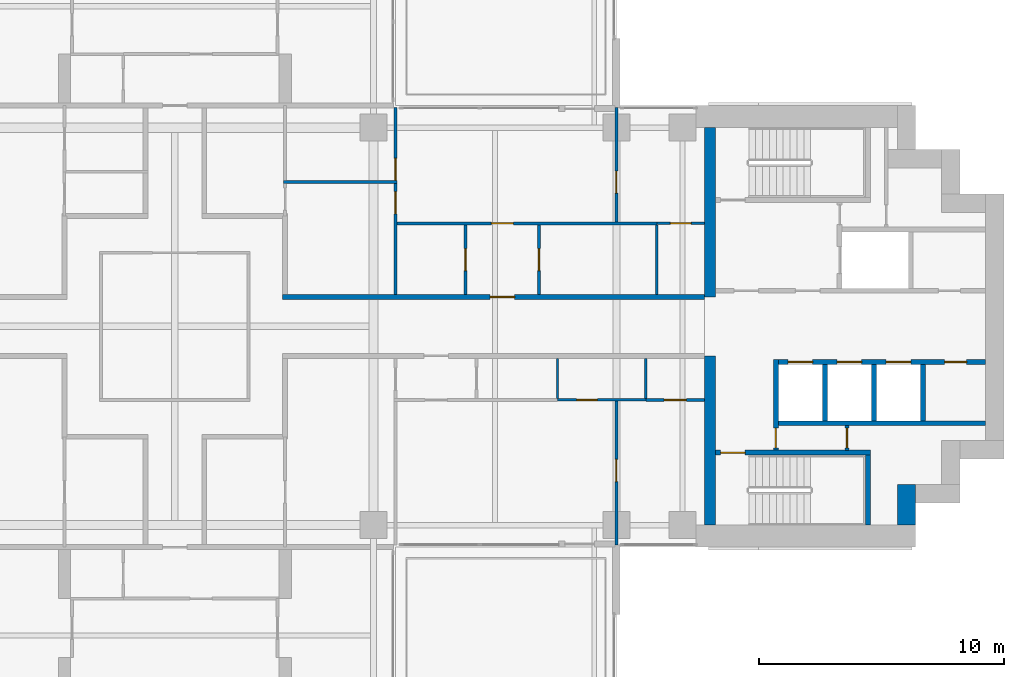
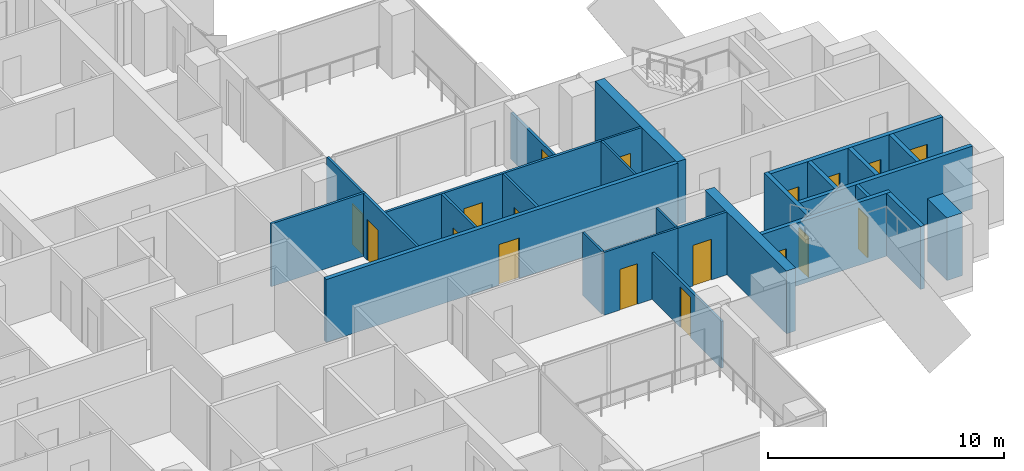
# One storey, part 12 of 19: 26 walls, 18 doors, 18 openings.
"""IFC4 building model written with IfcOpenShell, lengths in metres."""

from ifc_helpers import new_model, si_unit, direction, frame, frame_2d, origin, place, context, subcontext, project, spatial, rectangle, extrude, material, layer, layer_set, type_object, element, fill, save


model = new_model("IFC4")

# Units and contexts
model_context = context("Model", 3, precision=1e-05, world=origin(), true_north=direction((0.0, 1.0)))
body_context = subcontext(model_context, "Body", "Model", "MODEL_VIEW")
ifc_project = project(units=[si_unit("LENGTHUNIT", "METRE"), si_unit("AREAUNIT", "SQUARE_METRE"), si_unit("VOLUMEUNIT", "CUBIC_METRE"), si_unit("PLANEANGLEUNIT", "RADIAN"), si_unit("MASSUNIT", "GRAM", prefix="KILO")], contexts=[model_context])

# Site, building, storey
site_placement = place(None, origin())
site = spatial("IfcSite", under=ifc_project, at=site_placement, CompositionType="ELEMENT")
building_placement = place(site_placement, origin())
building = spatial("IfcBuilding", under=site, at=building_placement, Name="Perihelion Cross Residences", CompositionType="ELEMENT")
storey_placement = place(building_placement, frame((0.0, 0.0, 126.89990234375)))
storey = spatial("IfcBuildingStorey", under=building, at=storey_placement, Name="L30", CompositionType="ELEMENT", Elevation=126.89990234375)

# Wall, opening, door
ifc_material_1 = material(Name="Plasterboard partition")
ifc_layer_1 = layer(ifc_material_1, 0.199951171875)
ifc_layer_set_1 = layer_set([ifc_layer_1], Name="Apartment separation wall 200")
wall_type_1 = type_object("IfcWallType", Name="Apartment separation wall 200", PredefinedType="PARTITIONING", material=ifc_layer_set_1)
wall_1_placement = place(storey_placement, frame((4.39990234375, 1.199951171875, 0.0), z_axis=(0.0, 0.0, 1.0), x_axis=(1.0, 0.0, 0.0)))
wall_1 = element("IfcWall", 1, at=wall_1_placement, inside=storey, type_object=wall_type_1, Name="Partition L30 W005", PredefinedType="PARTITIONING", context=body_context, shape_type="SweptSolid", body=[
    extrude(rectangle(XDim=17.2001953125, YDim=0.199951171875, at=frame_2d((8.60009765625, 0.0))), origin(), (0.0, 0.0, 1.0), 3.25),
])
opening_1_placement = place(wall_1_placement, frame((8.449951171875, 0.0, 0.0)))
opening_1 = element("IfcOpeningElement", 2, at=opening_1_placement, cuts=wall_1, Name="Opening L30.A45", PredefinedType="OPENING", context=body_context, shape_type="SweptSolid", body=[
    extrude(rectangle(XDim=1.0, YDim=2.10009765625, at=frame_2d((0.5, 1.050048828125))), frame((0.0, 0.10986328125, 0.0), z_axis=(0.0, -1.0, 0.0), x_axis=(1.0, 0.0, 0.0)), (0.0, 0.0, 1.0), 0.219970703125),
])
ifc_material_2 = material(Name="Timber door leaf", Category="wood")
door_type_1 = type_object("IfcDoorType", Name="Flat entrance door 1000 x 2100", OperationType="SINGLE_SWING_LEFT", PredefinedType="DOOR", material=ifc_material_2)
door_1_placement = place(opening_1_placement, origin())
door_1 = element("IfcDoor", 3, at=door_1_placement, inside=storey, type_object=door_type_1, Name="Door L30.A45", OperationType="SINGLE_SWING_RIGHT", OverallHeight=2.10009765625, OverallWidth=1.0, PredefinedType="DOOR", context=body_context, shape_type="SweptSolid", body=[
    extrude(rectangle(XDim=1.0, YDim=2.10009765625, at=frame_2d((0.5, 1.050048828125))), frame((0.0, 0.02490234375, 0.0), z_axis=(0.0, -1.0, 0.0), x_axis=(1.0, 0.0, 0.0)), (0.0, 0.0, 1.0), 0.050048828125),
])
fill(opening_1, door_1)

# Walls
ifc_material_3 = material(Name="Concrete C60/75", Category="concrete")
ifc_layer_2 = layer(ifc_material_3, 0.449951171875)
ifc_layer_set_2 = layer_set([ifc_layer_2], Name="Core wall, inner 450")
wall_type_2 = type_object("IfcWallType", Name="Core wall, inner 450", PredefinedType="SHEAR", material=ifc_layer_set_2)
for number, where, z_axis, x_axis, name in (
    (4, (21.824951171875, -8.10009765625, 0.0), (0.0, 0.0, 1.0), (0.0, 1.0, 0.0), "East core core wall, inner"),
    (5, (21.824951171875, 1.199951171875, 0.0), (0.0, 0.0, 1.0), (0.0, 1.0, 0.0), "East core core wall, inner"),
):
    element("IfcWall", number, at=place(storey_placement, frame(where, z_axis=z_axis, x_axis=x_axis)), inside=storey, type_object=wall_type_2, Name=name, PredefinedType="SHEAR", context=body_context, shape_type="SweptSolid", body=[
        extrude(rectangle(XDim=6.900146484375, YDim=0.449951171875, at=frame_2d((3.4501953125, 0.0))), origin(), (0.0, 0.0, 1.0), 3.25),
    ])
ifc_material_4 = material(Name="Concrete C60/75", Category="concrete")
ifc_layer_3 = layer(ifc_material_4, 0.75)
ifc_layer_set_3 = layer_set([ifc_layer_3], Name="Core wall, outer 750")
wall_type_3 = type_object("IfcWallType", Name="Core wall, outer 750", PredefinedType="SHEAR", material=ifc_layer_set_3)
wall_2_placement = place(storey_placement, frame((29.824951171875, -8.10009765625, 0.0), z_axis=(0.0, 0.0, 1.0), x_axis=(0.0, 1.0, 0.0)))
element("IfcWall", 6, at=wall_2_placement, inside=storey, type_object=wall_type_3, Name="East core core wall, outer", PredefinedType="SHEAR", context=body_context, shape_type="SweptSolid", body=[
    extrude(rectangle(XDim=1.650146484375, YDim=0.75, at=frame_2d((0.8251953125, 0.0))), origin(), (0.0, 0.0, 1.0), 3.25),
])

# Wall, opening, door
ifc_material_5 = material(Name="Concrete C50/60", Category="concrete")
ifc_layer_4 = layer(ifc_material_5, 0.199951171875)
ifc_layer_set_4 = layer_set([ifc_layer_4], Name="Lobby wall 200")
wall_type_4 = type_object("IfcWallType", Name="Lobby wall 200", PredefinedType="SOLIDWALL", material=ifc_layer_set_4)
wall_3_placement = place(storey_placement, frame((24.5, -5.050048828125, 0.0), z_axis=(0.0, 0.0, 1.0), x_axis=(0.0, 1.0, 0.0)))
wall_3 = element("IfcWall", 7, at=wall_3_placement, inside=storey, type_object=wall_type_4, Name="East core lobby wall", PredefinedType="SOLIDWALL", context=body_context, shape_type="SweptSolid", body=[
    extrude(rectangle(XDim=3.699951171875, YDim=0.199951171875, at=frame_2d((1.85009765625, 0.0))), origin(), (0.0, 0.0, 1.0), 3.25),
])
opening_2_placement = place(wall_3_placement, frame((0.10009765625, 0.0, 0.0)))
opening_2 = element("IfcOpeningElement", 8, at=opening_2_placement, cuts=wall_3, Name="Opening L30.C08", PredefinedType="OPENING", context=body_context, shape_type="SweptSolid", body=[
    extrude(rectangle(XDim=0.800048828125, YDim=2.10009765625, at=frame_2d((0.39990234375, 1.050048828125))), frame((0.0, 0.10986328125, 0.0), z_axis=(0.0, -1.0, 0.0), x_axis=(1.0, 0.0, 0.0)), (0.0, 0.0, 1.0), 0.219970703125),
])
ifc_material_6 = material(Name="Steel, powder coated", Category="steel")
door_type_2 = type_object("IfcDoorType", Name="Riser door 800", OperationType="SINGLE_SWING_LEFT", PredefinedType="DOOR", material=ifc_material_6)
door_2_placement = place(opening_2_placement, origin())
door_2 = element("IfcDoor", 9, at=door_2_placement, inside=storey, type_object=door_type_2, Name="East core riser door", OperationType="SINGLE_SWING_LEFT", OverallHeight=2.10009765625, OverallWidth=0.800048828125, PredefinedType="DOOR", context=body_context, shape_type="SweptSolid", body=[
    extrude(rectangle(XDim=0.800048828125, YDim=2.10009765625, at=frame_2d((0.39990234375, 1.050048828125))), frame((0.0, 0.02490234375, 0.0), z_axis=(0.0, -1.0, 0.0), x_axis=(1.0, 0.0, 0.0)), (0.0, 0.0, 1.0), 0.050048828125),
])
fill(opening_2, door_2)

ifc_material_7 = material(Name="Plasterboard partition")
ifc_layer_5 = layer(ifc_material_7, 0.1201171875)
ifc_layer_set_5 = layer_set([ifc_layer_5], Name="Partition wall 120")
wall_type_5 = type_object("IfcWallType", Name="Partition wall 120", PredefinedType="PARTITIONING", material=ifc_layer_set_5)
wall_4_placement = place(storey_placement, frame((11.85009765625, 4.139892578125, 0.0), z_axis=(0.0, 0.0, 1.0), x_axis=(0.0, -1.0, 0.0)))
wall_4 = element("IfcWall", 10, at=wall_4_placement, inside=storey, type_object=wall_type_5, Name="Partition L30 W023", PredefinedType="PARTITIONING", context=body_context, shape_type="SweptSolid", body=[
    extrude(rectangle(XDim=2.83984375, YDim=0.1201171875, at=frame_2d((1.419921875, 0.0))), origin(), (0.0, 0.0, 1.0), 3.25),
])
opening_3_placement = place(wall_4_placement, frame((0.969970703125, 0.0, 0.0)))
opening_3 = element("IfcOpeningElement", 11, at=opening_3_placement, cuts=wall_4, Name="Opening L30.A06", PredefinedType="OPENING", context=body_context, shape_type="SweptSolid", body=[
    extrude(rectangle(XDim=0.89990234375, YDim=2.10009765625, at=frame_2d((0.449951171875, 1.050048828125))), frame((0.0, 0.070068359375, 0.0), z_axis=(0.0, -1.0, 0.0), x_axis=(1.0, 0.0, 0.0)), (0.0, 0.0, 1.0), 0.14013671875),
])
ifc_material_8 = material(Name="Timber door leaf", Category="wood")
door_type_3 = type_object("IfcDoorType", Name="Interior room door 900 x 2100", OperationType="SINGLE_SWING_LEFT", PredefinedType="DOOR", material=ifc_material_8)
door_3_placement = place(opening_3_placement, origin())
door_3 = element("IfcDoor", 12, at=door_3_placement, inside=storey, type_object=door_type_3, Name="Door L30.A06", OperationType="SINGLE_SWING_LEFT", OverallHeight=2.10009765625, OverallWidth=0.89990234375, PredefinedType="DOOR", context=body_context, shape_type="SweptSolid", body=[
    extrude(rectangle(XDim=0.89990234375, YDim=2.10009765625, at=frame_2d((0.449951171875, 1.050048828125))), frame((0.0, 0.02490234375, 0.0), z_axis=(0.0, -1.0, 0.0), x_axis=(1.0, 0.0, 0.0)), (0.0, 0.0, 1.0), 0.050048828125),
])
fill(opening_3, door_3)

wall_5_placement = place(storey_placement, frame((8.93994140625, 4.199951171875, 0.0), z_axis=(0.0, 0.0, 1.0), x_axis=(1.0, 0.0, 0.0)))
wall_5 = element("IfcWall", 13, at=wall_5_placement, inside=storey, type_object=wall_type_5, Name="Partition L30 W024", PredefinedType="PARTITIONING", context=body_context, shape_type="SweptSolid", body=[
    extrude(rectangle(XDim=10.7099609375, YDim=0.1201171875, at=frame_2d((5.35498046875, 0.0))), origin(), (0.0, 0.0, 1.0), 3.25),
])
opening_4_placement = place(wall_5_placement, frame((3.9599609375, 0.0, 0.0)))
opening_4 = element("IfcOpeningElement", 14, at=opening_4_placement, cuts=wall_5, Name="Opening L30.A07", PredefinedType="OPENING", context=body_context, shape_type="SweptSolid", body=[
    extrude(rectangle(XDim=0.89990234375, YDim=2.10009765625, at=frame_2d((0.449951171875, 1.050048828125))), frame((0.0, 0.070068359375, 0.0), z_axis=(0.0, -1.0, 0.0), x_axis=(1.0, 0.0, 0.0)), (0.0, 0.0, 1.0), 0.14013671875),
])
door_4_placement = place(opening_4_placement, origin())
door_4 = element("IfcDoor", 15, at=door_4_placement, inside=storey, type_object=door_type_3, Name="Door L30.A07", OperationType="SINGLE_SWING_LEFT", OverallHeight=2.10009765625, OverallWidth=0.89990234375, PredefinedType="DOOR", context=body_context, shape_type="SweptSolid", body=[
    extrude(rectangle(XDim=0.89990234375, YDim=2.10009765625, at=frame_2d((0.449951171875, 1.050048828125))), frame((0.0, 0.02490234375, 0.0), z_axis=(0.0, -1.0, 0.0), x_axis=(1.0, 0.0, 0.0)), (0.0, 0.0, 1.0), 0.050048828125),
])
fill(opening_4, door_4)

# Wall, openings, doors
wall_6_placement = place(storey_placement, frame((9.0, 1.300048828125, 0.0), z_axis=(0.0, 0.0, 1.0), x_axis=(0.0, 1.0, 0.0)))
wall_6 = element("IfcWall", 16, at=wall_6_placement, inside=storey, type_object=wall_type_5, Name="Partition L30 W025", PredefinedType="PARTITIONING", context=body_context, shape_type="SweptSolid", body=[
    extrude(rectangle(XDim=7.619873046875, YDim=0.1201171875, at=frame_2d((3.81005859375, 0.0))), origin(), (0.0, 0.0, 1.0), 3.25),
])
opening_5_placement = place(wall_6_placement, frame((3.2900390625, 0.0, 0.0)))
opening_5 = element("IfcOpeningElement", 17, at=opening_5_placement, cuts=wall_6, Name="Opening L30.A04", PredefinedType="OPENING", context=body_context, shape_type="SweptSolid", body=[
    extrude(rectangle(XDim=0.89990234375, YDim=2.10009765625, at=frame_2d((0.449951171875, 1.050048828125))), frame((0.0, 0.070068359375, 0.0), z_axis=(0.0, -1.0, 0.0), x_axis=(1.0, 0.0, 0.0)), (0.0, 0.0, 1.0), 0.14013671875),
])
opening_6_placement = place(wall_6_placement, frame((4.64990234375, 0.0, 0.0)))
opening_6 = element("IfcOpeningElement", 18, at=opening_6_placement, cuts=wall_6, Name="Opening L30.A08", PredefinedType="OPENING", context=body_context, shape_type="SweptSolid", body=[
    extrude(rectangle(XDim=0.89990234375, YDim=2.10009765625, at=frame_2d((0.449951171875, 1.050048828125))), frame((0.0, 0.070068359375, 0.0), z_axis=(0.0, -1.0, 0.0), x_axis=(1.0, 0.0, 0.0)), (0.0, 0.0, 1.0), 0.14013671875),
])
door_5_placement = place(opening_5_placement, origin())
door_5 = element("IfcDoor", 19, at=door_5_placement, inside=storey, type_object=door_type_3, Name="Door L30.A04", OperationType="SINGLE_SWING_RIGHT", OverallHeight=2.10009765625, OverallWidth=0.89990234375, PredefinedType="DOOR", context=body_context, shape_type="SweptSolid", body=[
    extrude(rectangle(XDim=0.89990234375, YDim=2.10009765625, at=frame_2d((0.449951171875, 1.050048828125))), frame((0.0, 0.02490234375, 0.0), z_axis=(0.0, -1.0, 0.0), x_axis=(1.0, 0.0, 0.0)), (0.0, 0.0, 1.0), 0.050048828125),
])
fill(opening_5, door_5)
door_6_placement = place(opening_6_placement, origin())
door_6 = element("IfcDoor", 20, at=door_6_placement, inside=storey, type_object=door_type_3, Name="Door L30.A08", OperationType="SINGLE_SWING_RIGHT", OverallHeight=2.10009765625, OverallWidth=0.89990234375, PredefinedType="DOOR", context=body_context, shape_type="SweptSolid", body=[
    extrude(rectangle(XDim=0.89990234375, YDim=2.10009765625, at=frame_2d((0.449951171875, 1.050048828125))), frame((0.0, 0.02490234375, 0.0), z_axis=(0.0, -1.0, 0.0), x_axis=(1.0, 0.0, 0.0)), (0.0, 0.0, 1.0), 0.050048828125),
])
fill(opening_6, door_6)

# Wall, opening, door
wall_7_placement = place(storey_placement, frame((14.85009765625, 4.139892578125, 0.0), z_axis=(0.0, 0.0, 1.0), x_axis=(0.0, -1.0, 0.0)))
wall_7 = element("IfcWall", 21, at=wall_7_placement, inside=storey, type_object=wall_type_5, Name="Partition L30 W026", PredefinedType="PARTITIONING", context=body_context, shape_type="SweptSolid", body=[
    extrude(rectangle(XDim=2.83984375, YDim=0.1201171875, at=frame_2d((1.419921875, 0.0))), origin(), (0.0, 0.0, 1.0), 3.25),
])
opening_7_placement = place(wall_7_placement, frame((0.969970703125, 0.0, 0.0)))
opening_7 = element("IfcOpeningElement", 22, at=opening_7_placement, cuts=wall_7, Name="Opening L30.A05", PredefinedType="OPENING", context=body_context, shape_type="SweptSolid", body=[
    extrude(rectangle(XDim=0.89990234375, YDim=2.10009765625, at=frame_2d((0.449951171875, 1.050048828125))), frame((0.0, 0.070068359375, 0.0), z_axis=(0.0, -1.0, 0.0), x_axis=(1.0, 0.0, 0.0)), (0.0, 0.0, 1.0), 0.14013671875),
])
door_7_placement = place(opening_7_placement, origin())
door_7 = element("IfcDoor", 23, at=door_7_placement, inside=storey, type_object=door_type_3, Name="Door L30.A05", OperationType="SINGLE_SWING_RIGHT", OverallHeight=2.10009765625, OverallWidth=0.89990234375, PredefinedType="DOOR", context=body_context, shape_type="SweptSolid", body=[
    extrude(rectangle(XDim=0.89990234375, YDim=2.10009765625, at=frame_2d((0.449951171875, 1.050048828125))), frame((0.0, 0.02490234375, 0.0), z_axis=(0.0, -1.0, 0.0), x_axis=(1.0, 0.0, 0.0)), (0.0, 0.0, 1.0), 0.050048828125),
])
fill(opening_7, door_7)

wall_8_placement = place(storey_placement, frame((18.0, 8.919921875, 0.0), z_axis=(0.0, 0.0, 1.0), x_axis=(0.0, -1.0, 0.0)))
wall_8 = element("IfcWall", 24, at=wall_8_placement, inside=storey, type_object=wall_type_5, Name="Partition L30 W029", PredefinedType="PARTITIONING", context=body_context, shape_type="SweptSolid", body=[
    extrude(rectangle(XDim=4.659912109375, YDim=0.1201171875, at=frame_2d((2.330078125, 0.0))), origin(), (0.0, 0.0, 1.0), 2.4140625),
])
opening_8_placement = place(wall_8_placement, frame((2.590087890625, 0.0, 0.0)))
opening_8 = element("IfcOpeningElement", 25, at=opening_8_placement, cuts=wall_8, Name="Opening L30.A02", PredefinedType="OPENING", context=body_context, shape_type="SweptSolid", body=[
    extrude(rectangle(XDim=0.89990234375, YDim=2.10009765625, at=frame_2d((0.449951171875, 1.050048828125))), frame((0.0, 0.070068359375, 0.0), z_axis=(0.0, -1.0, 0.0), x_axis=(1.0, 0.0, 0.0)), (0.0, 0.0, 1.0), 0.14013671875),
])
door_8_placement = place(opening_8_placement, origin())
door_8 = element("IfcDoor", 26, at=door_8_placement, inside=storey, type_object=door_type_3, Name="Door L30.A02", OperationType="SINGLE_SWING_LEFT", OverallHeight=2.10009765625, OverallWidth=0.89990234375, PredefinedType="DOOR", context=body_context, shape_type="SweptSolid", body=[
    extrude(rectangle(XDim=0.89990234375, YDim=2.10009765625, at=frame_2d((0.449951171875, 1.050048828125))), frame((0.0, 0.02490234375, 0.0), z_axis=(0.0, -1.0, 0.0), x_axis=(1.0, 0.0, 0.0)), (0.0, 0.0, 1.0), 0.050048828125),
])
fill(opening_8, door_8)

# Wall
wall_9_placement = place(storey_placement, frame((4.43994140625, 5.8798828125, 0.0), z_axis=(0.0, 0.0, 1.0), x_axis=(1.0, 0.0, 0.0)))
element("IfcWall", 27, at=wall_9_placement, inside=storey, type_object=wall_type_5, Name="Partition L30 W030", PredefinedType="PARTITIONING", context=body_context, shape_type="SweptSolid", body=[
    extrude(rectangle(XDim=4.6201171875, YDim=0.1201171875, at=frame_2d((2.31005859375, 0.0))), origin(), (0.0, 0.0, 1.0), 3.25),
])

# Wall, opening, door
wall_10_placement = place(storey_placement, frame((21.60009765625, -3.0, 0.0), z_axis=(0.0, 0.0, 1.0), x_axis=(-1.0, 0.0, 0.0)))
wall_10 = element("IfcWall", 28, at=wall_10_placement, inside=storey, type_object=wall_type_5, Name="Partition L30 W038", PredefinedType="PARTITIONING", context=body_context, shape_type="SweptSolid", body=[
    extrude(rectangle(XDim=2.400146484375, YDim=0.1201171875, at=frame_2d((1.2001953125, 0.0))), origin(), (0.0, 0.0, 1.0), 3.25),
])
opening_9_placement = place(wall_10_placement, frame((0.75, 0.0, 0.0)))
opening_9 = element("IfcOpeningElement", 29, at=opening_9_placement, cuts=wall_10, Name="Opening L30.A14", PredefinedType="OPENING", context=body_context, shape_type="SweptSolid", body=[
    extrude(rectangle(XDim=0.89990234375, YDim=2.10009765625, at=frame_2d((0.449951171875, 1.050048828125))), frame((0.0, 0.070068359375, 0.0), z_axis=(0.0, -1.0, 0.0), x_axis=(1.0, 0.0, 0.0)), (0.0, 0.0, 1.0), 0.14013671875),
])
door_9_placement = place(opening_9_placement, origin())
door_9 = element("IfcDoor", 30, at=door_9_placement, inside=storey, type_object=door_type_3, Name="Door L30.A14", OperationType="SINGLE_SWING_LEFT", OverallHeight=2.10009765625, OverallWidth=0.89990234375, PredefinedType="DOOR", context=body_context, shape_type="SweptSolid", body=[
    extrude(rectangle(XDim=0.89990234375, YDim=2.10009765625, at=frame_2d((0.449951171875, 1.050048828125))), frame((0.0, 0.02490234375, 0.0), z_axis=(0.0, -1.0, 0.0), x_axis=(1.0, 0.0, 0.0)), (0.0, 0.0, 1.0), 0.050048828125),
])
fill(opening_9, door_9)

wall_11_placement = place(storey_placement, frame((18.0, -3.050048828125, 0.0), z_axis=(0.0, 0.0, 1.0), x_axis=(0.0, -1.0, 0.0)))
wall_11 = element("IfcWall", 31, at=wall_11_placement, inside=storey, type_object=wall_type_5, Name="Partition L30 W039", PredefinedType="PARTITIONING", context=body_context, shape_type="SweptSolid", body=[
    extrude(rectangle(XDim=5.869873046875, YDim=0.1201171875, at=frame_2d((2.93505859375, 0.0))), origin(), (0.0, 0.0, 1.0), 2.4140625),
])
opening_10_placement = place(wall_11_placement, frame((2.375, 0.0, 0.0)))
opening_10 = element("IfcOpeningElement", 32, at=opening_10_placement, cuts=wall_11, Name="Opening L30.A10", PredefinedType="OPENING", context=body_context, shape_type="SweptSolid", body=[
    extrude(rectangle(XDim=0.89990234375, YDim=2.10009765625, at=frame_2d((0.449951171875, 1.050048828125))), frame((0.0, 0.070068359375, 0.0), z_axis=(0.0, -1.0, 0.0), x_axis=(1.0, 0.0, 0.0)), (0.0, 0.0, 1.0), 0.14013671875),
])
door_10_placement = place(opening_10_placement, origin())
door_10 = element("IfcDoor", 33, at=door_10_placement, inside=storey, type_object=door_type_3, Name="Door L30.A10", OperationType="SINGLE_SWING_LEFT", OverallHeight=2.10009765625, OverallWidth=0.89990234375, PredefinedType="DOOR", context=body_context, shape_type="SweptSolid", body=[
    extrude(rectangle(XDim=0.89990234375, YDim=2.10009765625, at=frame_2d((0.449951171875, 1.050048828125))), frame((0.0, 0.02490234375, 0.0), z_axis=(0.0, -1.0, 0.0), x_axis=(1.0, 0.0, 0.0)), (0.0, 0.0, 1.0), 0.050048828125),
])
fill(opening_10, door_10)

ifc_material_9 = material(Name="Fire-rated board on steel stud", Category="steel")
ifc_layer_6 = layer(ifc_material_9, 0.14990234375)
ifc_layer_set_6 = layer_set([ifc_layer_6], Name="Riser wall 150")
wall_type_6 = type_object("IfcWallType", Name="Riser wall 150", PredefinedType="PARTITIONING", material=ifc_layer_set_6)
wall_12_placement = place(storey_placement, frame((27.39990234375, -5.050048828125, 0.0), z_axis=(0.0, 0.0, 1.0), x_axis=(0.0, 1.0, 0.0)))
wall_12 = element("IfcWall", 34, at=wall_12_placement, inside=storey, type_object=wall_type_6, Name="East core riser wall", PredefinedType="PARTITIONING", context=body_context, shape_type="SweptSolid", body=[
    extrude(rectangle(XDim=1.0, YDim=0.14990234375, at=frame_2d((0.5, 0.0))), origin(), (0.0, 0.0, 1.0), 3.25),
])
opening_11_placement = place(wall_12_placement, frame((0.10009765625, 0.0, 0.0)))
opening_11 = element("IfcOpeningElement", 35, at=opening_11_placement, cuts=wall_12, Name="Opening L30.C11", PredefinedType="OPENING", context=body_context, shape_type="SweptSolid", body=[
    extrude(rectangle(XDim=0.800048828125, YDim=2.10009765625, at=frame_2d((0.39990234375, 1.050048828125))), frame((0.0, 0.0849609375, 0.0), z_axis=(0.0, -1.0, 0.0), x_axis=(1.0, 0.0, 0.0)), (0.0, 0.0, 1.0), 0.169921875),
])
door_11_placement = place(opening_11_placement, origin())
door_11 = element("IfcDoor", 36, at=door_11_placement, inside=storey, type_object=door_type_2, Name="East core riser door", OperationType="SINGLE_SWING_LEFT", OverallHeight=2.10009765625, OverallWidth=0.800048828125, PredefinedType="DOOR", context=body_context, shape_type="SweptSolid", body=[
    extrude(rectangle(XDim=0.800048828125, YDim=2.10009765625, at=frame_2d((0.39990234375, 1.050048828125))), frame((0.0, 0.02490234375, 0.0), z_axis=(0.0, -1.0, 0.0), x_axis=(1.0, 0.0, 0.0)), (0.0, 0.0, 1.0), 0.050048828125),
])
fill(opening_11, door_11)

# Wall, openings, doors
ifc_material_10 = material(Name="Concrete C50/60", Category="concrete")
ifc_layer_7 = layer(ifc_material_10, 0.199951171875)
ifc_layer_set_7 = layer_set([ifc_layer_7], Name="Shaft wall 200")
wall_type_7 = type_object("IfcWallType", Name="Shaft wall 200", PredefinedType="SOLIDWALL", material=ifc_layer_set_7)
wall_13_placement = place(storey_placement, frame((24.60009765625, -1.449951171875, 0.0), z_axis=(0.0, 0.0, 1.0), x_axis=(1.0, 0.0, 0.0)))
wall_13 = element("IfcWall", 37, at=wall_13_placement, inside=storey, type_object=wall_type_7, Name="East core shaft wall", PredefinedType="SOLIDWALL", context=body_context, shape_type="SweptSolid", body=[
    extrude(rectangle(XDim=8.449951171875, YDim=0.199951171875, at=frame_2d((4.22509765625, 0.0))), origin(), (0.0, 0.0, 1.0), 3.25),
])
opening_12_placement = place(wall_13_placement, frame((0.39990234375, 0.0, 0.0)))
opening_12 = element("IfcOpeningElement", 38, at=opening_12_placement, cuts=wall_13, Name="Opening L30.C01", PredefinedType="OPENING", context=body_context, shape_type="SweptSolid", body=[
    extrude(rectangle(XDim=1.0, YDim=2.10009765625, at=frame_2d((0.5, 1.050048828125))), frame((0.0, 0.10986328125, 0.0), z_axis=(0.0, -1.0, 0.0), x_axis=(1.0, 0.0, 0.0)), (0.0, 0.0, 1.0), 0.219970703125),
])
opening_13_placement = place(wall_13_placement, frame((2.39990234375, 0.0, 0.0)))
opening_13 = element("IfcOpeningElement", 39, at=opening_13_placement, cuts=wall_13, Name="Opening L30.C03", PredefinedType="OPENING", context=body_context, shape_type="SweptSolid", body=[
    extrude(rectangle(XDim=1.0, YDim=2.10009765625, at=frame_2d((0.5, 1.050048828125))), frame((0.0, 0.10986328125, 0.0), z_axis=(0.0, -1.0, 0.0), x_axis=(1.0, 0.0, 0.0)), (0.0, 0.0, 1.0), 0.219970703125),
])
opening_14_placement = place(wall_13_placement, frame((4.39990234375, 0.0, 0.0)))
opening_14 = element("IfcOpeningElement", 40, at=opening_14_placement, cuts=wall_13, Name="Opening L30.C04", PredefinedType="OPENING", context=body_context, shape_type="SweptSolid", body=[
    extrude(rectangle(XDim=1.0, YDim=2.10009765625, at=frame_2d((0.5, 1.050048828125))), frame((0.0, 0.10986328125, 0.0), z_axis=(0.0, -1.0, 0.0), x_axis=(1.0, 0.0, 0.0)), (0.0, 0.0, 1.0), 0.219970703125),
])
opening_15_placement = place(wall_13_placement, frame((6.77490234375, 0.0, 0.0)))
opening_15 = element("IfcOpeningElement", 41, at=opening_15_placement, cuts=wall_13, Name="Opening L30.C14", PredefinedType="OPENING", context=body_context, shape_type="SweptSolid", body=[
    extrude(rectangle(XDim=0.89990234375, YDim=2.10009765625, at=frame_2d((0.449951171875, 1.050048828125))), frame((0.0, 0.10986328125, 0.0), z_axis=(0.0, -1.0, 0.0), x_axis=(1.0, 0.0, 0.0)), (0.0, 0.0, 1.0), 0.219970703125),
])
ifc_material_11 = material(Name="Stainless steel", Category="steel")
door_type_4 = type_object("IfcDoorType", Name="Landing door 1000", OperationType="DOUBLE_DOOR_SLIDING", PredefinedType="DOOR", material=ifc_material_11)
door_12_placement = place(opening_12_placement, origin())
door_12 = element("IfcDoor", 42, at=door_12_placement, inside=storey, type_object=door_type_4, Name="Landing door, East core high-rise lift 1", OperationType="DOUBLE_DOOR_SLIDING", OverallHeight=2.10009765625, OverallWidth=1.0, PredefinedType="DOOR", context=body_context, shape_type="SweptSolid", body=[
    extrude(rectangle(XDim=1.0, YDim=2.10009765625, at=frame_2d((0.5, 1.050048828125))), frame((0.0, 0.02490234375, 0.0), z_axis=(0.0, -1.0, 0.0), x_axis=(1.0, 0.0, 0.0)), (0.0, 0.0, 1.0), 0.050048828125),
])
fill(opening_12, door_12)
door_13_placement = place(opening_13_placement, origin())
door_13 = element("IfcDoor", 43, at=door_13_placement, inside=storey, type_object=door_type_4, Name="Landing door, East core high-rise lift 2", OperationType="DOUBLE_DOOR_SLIDING", OverallHeight=2.10009765625, OverallWidth=1.0, PredefinedType="DOOR", context=body_context, shape_type="SweptSolid", body=[
    extrude(rectangle(XDim=1.0, YDim=2.10009765625, at=frame_2d((0.5, 1.050048828125))), frame((0.0, 0.02490234375, 0.0), z_axis=(0.0, -1.0, 0.0), x_axis=(1.0, 0.0, 0.0)), (0.0, 0.0, 1.0), 0.050048828125),
])
fill(opening_13, door_13)
door_14_placement = place(opening_14_placement, origin())
door_14 = element("IfcDoor", 44, at=door_14_placement, inside=storey, type_object=door_type_4, Name="Landing door, East core high-rise lift 3", OperationType="DOUBLE_DOOR_SLIDING", OverallHeight=2.10009765625, OverallWidth=1.0, PredefinedType="DOOR", context=body_context, shape_type="SweptSolid", body=[
    extrude(rectangle(XDim=1.0, YDim=2.10009765625, at=frame_2d((0.5, 1.050048828125))), frame((0.0, 0.02490234375, 0.0), z_axis=(0.0, -1.0, 0.0), x_axis=(1.0, 0.0, 0.0)), (0.0, 0.0, 1.0), 0.050048828125),
])
fill(opening_14, door_14)
ifc_material_12 = material(Name="Steel, powder coated", Category="steel")
door_type_5 = type_object("IfcDoorType", Name="Service room door 900", OperationType="SINGLE_SWING_LEFT", PredefinedType="DOOR", material=ifc_material_12)
door_15_placement = place(opening_15_placement, origin())
door_15 = element("IfcDoor", 45, at=door_15_placement, inside=storey, type_object=door_type_5, Name="East core service room door", OperationType="SINGLE_SWING_LEFT", OverallHeight=2.10009765625, OverallWidth=0.89990234375, PredefinedType="DOOR", context=body_context, shape_type="SweptSolid", body=[
    extrude(rectangle(XDim=0.89990234375, YDim=2.10009765625, at=frame_2d((0.449951171875, 1.050048828125))), frame((0.0, 0.02490234375, 0.0), z_axis=(0.0, -1.0, 0.0), x_axis=(1.0, 0.0, 0.0)), (0.0, 0.0, 1.0), 0.050048828125),
])
fill(opening_15, door_15)

# Walls
wall_14_placement = place(storey_placement, frame((24.60009765625, -3.949951171875, 0.0), z_axis=(0.0, 0.0, 1.0), x_axis=(1.0, 0.0, 0.0)))
element("IfcWall", 46, at=wall_14_placement, inside=storey, type_object=wall_type_7, Name="East core shaft wall", PredefinedType="SOLIDWALL", context=body_context, shape_type="SweptSolid", body=[
    extrude(rectangle(XDim=8.449951171875, YDim=0.199951171875, at=frame_2d((4.22509765625, 0.0))), origin(), (0.0, 0.0, 1.0), 3.25),
])
for number, where, z_axis, x_axis, name in (
    (47, (26.5, -3.85009765625, 0.0), (0.0, 0.0, 1.0), (0.0, 1.0, 0.0), "East core shaft wall"),
    (48, (28.5, -3.85009765625, 0.0), (0.0, 0.0, 1.0), (0.0, 1.0, 0.0), "East core shaft wall"),
    (49, (30.5, -3.85009765625, 0.0), (0.0, 0.0, 1.0), (0.0, 1.0, 0.0), "East core shaft wall"),
):
    element("IfcWall", number, at=place(storey_placement, frame(where, z_axis=z_axis, x_axis=x_axis)), inside=storey, type_object=wall_type_7, Name=name, PredefinedType="SOLIDWALL", context=body_context, shape_type="SweptSolid", body=[
        extrude(rectangle(XDim=2.300048828125, YDim=0.199951171875, at=frame_2d((1.14990234375, 0.0))), origin(), (0.0, 0.0, 1.0), 3.25),
    ])

# Wall, opening, door
ifc_material_13 = material(Name="Concrete C50/60", Category="concrete")
ifc_layer_8 = layer(ifc_material_13, 0.199951171875)
ifc_layer_set_8 = layer_set([ifc_layer_8], Name="Stair wall 200")
wall_type_8 = type_object("IfcWallType", Name="Stair wall 200", PredefinedType="SOLIDWALL", material=ifc_layer_set_8)
wall_15_placement = place(storey_placement, frame((22.050048828125, -5.14990234375, 0.0), z_axis=(0.0, 0.0, 1.0), x_axis=(1.0, 0.0, 0.0)))
wall_15 = element("IfcWall", 50, at=wall_15_placement, inside=storey, type_object=wall_type_8, Name="East core stair wall", PredefinedType="SOLIDWALL", context=body_context, shape_type="SweptSolid", body=[
    extrude(rectangle(XDim=6.300048828125, YDim=0.199951171875, at=frame_2d((3.14990234375, 0.0))), origin(), (0.0, 0.0, 1.0), 3.25),
])
opening_16_placement = place(wall_15_placement, frame((0.199951171875, 0.0, 0.0)))
opening_16 = element("IfcOpeningElement", 51, at=opening_16_placement, cuts=wall_15, Name="Opening L30.C05", PredefinedType="OPENING", context=body_context, shape_type="SweptSolid", body=[
    extrude(rectangle(XDim=1.0, YDim=2.10009765625, at=frame_2d((0.5, 1.050048828125))), frame((0.0, 0.10986328125, 0.0), z_axis=(0.0, -1.0, 0.0), x_axis=(1.0, 0.0, 0.0)), (0.0, 0.0, 1.0), 0.219970703125),
])
ifc_material_14 = material(Name="Steel, powder coated", Category="steel")
door_type_6 = type_object("IfcDoorType", Name="Stair door 1000", OperationType="SINGLE_SWING_LEFT", PredefinedType="DOOR", material=ifc_material_14)
door_16_placement = place(opening_16_placement, origin())
door_16 = element("IfcDoor", 52, at=door_16_placement, inside=storey, type_object=door_type_6, Name="East core stair door", OperationType="SINGLE_SWING_LEFT", OverallHeight=2.10009765625, OverallWidth=1.0, PredefinedType="DOOR", context=body_context, shape_type="SweptSolid", body=[
    extrude(rectangle(XDim=1.0, YDim=2.10009765625, at=frame_2d((0.5, 1.050048828125))), frame((0.0, 0.02490234375, 0.0), z_axis=(0.0, -1.0, 0.0), x_axis=(1.0, 0.0, 0.0)), (0.0, 0.0, 1.0), 0.050048828125),
])
fill(opening_16, door_16)

# Walls
wall_16_placement = place(storey_placement, frame((28.25, -8.10009765625, 0.0), z_axis=(0.0, 0.0, 1.0), x_axis=(0.0, 1.0, 0.0)))
element("IfcWall", 53, at=wall_16_placement, inside=storey, type_object=wall_type_8, Name="East core stair wall", PredefinedType="SOLIDWALL", context=body_context, shape_type="SweptSolid", body=[
    extrude(rectangle(XDim=2.85009765625, YDim=0.199951171875, at=frame_2d((1.425048828125, 0.0))), origin(), (0.0, 0.0, 1.0), 3.25),
])
ifc_material_15 = material(Name="Plasterboard partition")
ifc_layer_9 = layer(ifc_material_15, 0.10009765625)
ifc_layer_set_9 = layer_set([ifc_layer_9], Name="Wet room wall 100")
wall_type_9 = type_object("IfcWallType", Name="Wet room wall 100", PredefinedType="PARTITIONING", material=ifc_layer_set_9)
wall_17_placement = place(storey_placement, frame((19.64990234375, 4.139892578125, 0.0), z_axis=(0.0, 0.0, 1.0), x_axis=(0.0, -1.0, 0.0)))
element("IfcWall", 54, at=wall_17_placement, inside=storey, type_object=wall_type_9, Name="Partition L30 W027", PredefinedType="PARTITIONING", context=body_context, shape_type="SweptSolid", body=[
    extrude(rectangle(XDim=2.83984375, YDim=0.10009765625, at=frame_2d((1.419921875, 0.0))), origin(), (0.0, 0.0, 1.0), 3.25),
])

# Wall, opening, door
wall_18_placement = place(storey_placement, frame((19.64990234375, 4.199951171875, 0.0), z_axis=(0.0, 0.0, 1.0), x_axis=(1.0, 0.0, 0.0)))
wall_18 = element("IfcWall", 55, at=wall_18_placement, inside=storey, type_object=wall_type_9, Name="Partition L30 W028", PredefinedType="PARTITIONING", context=body_context, shape_type="SweptSolid", body=[
    extrude(rectangle(XDim=1.9501953125, YDim=0.10009765625, at=frame_2d((0.97509765625, 0.0))), origin(), (0.0, 0.0, 1.0), 3.25),
])
opening_17_placement = place(wall_18_placement, frame((0.550048828125, 0.0, 0.0)))
opening_17 = element("IfcOpeningElement", 56, at=opening_17_placement, cuts=wall_18, Name="Opening L30.A09", PredefinedType="OPENING", context=body_context, shape_type="SweptSolid", body=[
    extrude(rectangle(XDim=0.85009765625, YDim=2.10009765625, at=frame_2d((0.425048828125, 1.050048828125))), frame((0.0, 0.06005859375, 0.0), z_axis=(0.0, -1.0, 0.0), x_axis=(1.0, 0.0, 0.0)), (0.0, 0.0, 1.0), 0.1201171875),
])
ifc_material_16 = material(Name="Timber door leaf", Category="wood")
door_type_7 = type_object("IfcDoorType", Name="Interior bathroom door 850 x 2100", OperationType="SINGLE_SWING_LEFT", PredefinedType="DOOR", material=ifc_material_16)
door_17_placement = place(opening_17_placement, origin())
door_17 = element("IfcDoor", 57, at=door_17_placement, inside=storey, type_object=door_type_7, Name="Door L30.A09", OperationType="SINGLE_SWING_RIGHT", OverallHeight=2.10009765625, OverallWidth=0.85009765625, PredefinedType="DOOR", context=body_context, shape_type="SweptSolid", body=[
    extrude(rectangle(XDim=0.85009765625, YDim=2.10009765625, at=frame_2d((0.425048828125, 1.050048828125))), frame((0.0, 0.02490234375, 0.0), z_axis=(0.0, -1.0, 0.0), x_axis=(1.0, 0.0, 0.0)), (0.0, 0.0, 1.0), 0.050048828125),
])
fill(opening_17, door_17)

# Walls
for number, where, z_axis, x_axis, name in (
    (58, (15.60009765625, -1.300048828125, 0.0), (0.0, 0.0, 1.0), (0.0, -1.0, 0.0), "Partition L30 W035"),
    (59, (19.199951171875, -1.300048828125, 0.0), (0.0, 0.0, 1.0), (0.0, -1.0, 0.0), "Partition L30 W036"),
):
    element("IfcWall", number, at=place(storey_placement, frame(where, z_axis=z_axis, x_axis=x_axis)), inside=storey, type_object=wall_type_9, Name=name, PredefinedType="PARTITIONING", context=body_context, shape_type="SweptSolid", body=[
        extrude(rectangle(XDim=1.639892578125, YDim=0.10009765625, at=frame_2d((0.81982421875, 0.0))), origin(), (0.0, 0.0, 1.0), 3.25),
    ])

# Wall, opening, door
wall_19_placement = place(storey_placement, frame((19.199951171875, -3.0, 0.0), z_axis=(0.0, 0.0, 1.0), x_axis=(-1.0, 0.0, 0.0)))
wall_19 = element("IfcWall", 60, at=wall_19_placement, inside=storey, type_object=wall_type_9, Name="Partition L30 W037", PredefinedType="PARTITIONING", context=body_context, shape_type="SweptSolid", body=[
    extrude(rectangle(XDim=3.599853515625, YDim=0.10009765625, at=frame_2d((1.7998046875, 0.0))), origin(), (0.0, 0.0, 1.0), 3.25),
])
opening_18_placement = place(wall_19_placement, frame((1.97509765625, 0.0, 0.0)))
opening_18 = element("IfcOpeningElement", 61, at=opening_18_placement, cuts=wall_19, Name="Opening L30.A15", PredefinedType="OPENING", context=body_context, shape_type="SweptSolid", body=[
    extrude(rectangle(XDim=0.85009765625, YDim=2.10009765625, at=frame_2d((0.425048828125, 1.050048828125))), frame((0.0, 0.06005859375, 0.0), z_axis=(0.0, -1.0, 0.0), x_axis=(1.0, 0.0, 0.0)), (0.0, 0.0, 1.0), 0.1201171875),
])
door_18_placement = place(opening_18_placement, origin())
door_18 = element("IfcDoor", 62, at=door_18_placement, inside=storey, type_object=door_type_7, Name="Door L30.A15", OperationType="SINGLE_SWING_LEFT", OverallHeight=2.10009765625, OverallWidth=0.85009765625, PredefinedType="DOOR", context=body_context, shape_type="SweptSolid", body=[
    extrude(rectangle(XDim=0.85009765625, YDim=2.10009765625, at=frame_2d((0.425048828125, 1.050048828125))), frame((0.0, 0.02490234375, 0.0), z_axis=(0.0, -1.0, 0.0), x_axis=(1.0, 0.0, 0.0)), (0.0, 0.0, 1.0), 0.050048828125),
])
fill(opening_18, door_18)

save(model, "model.ifc")
